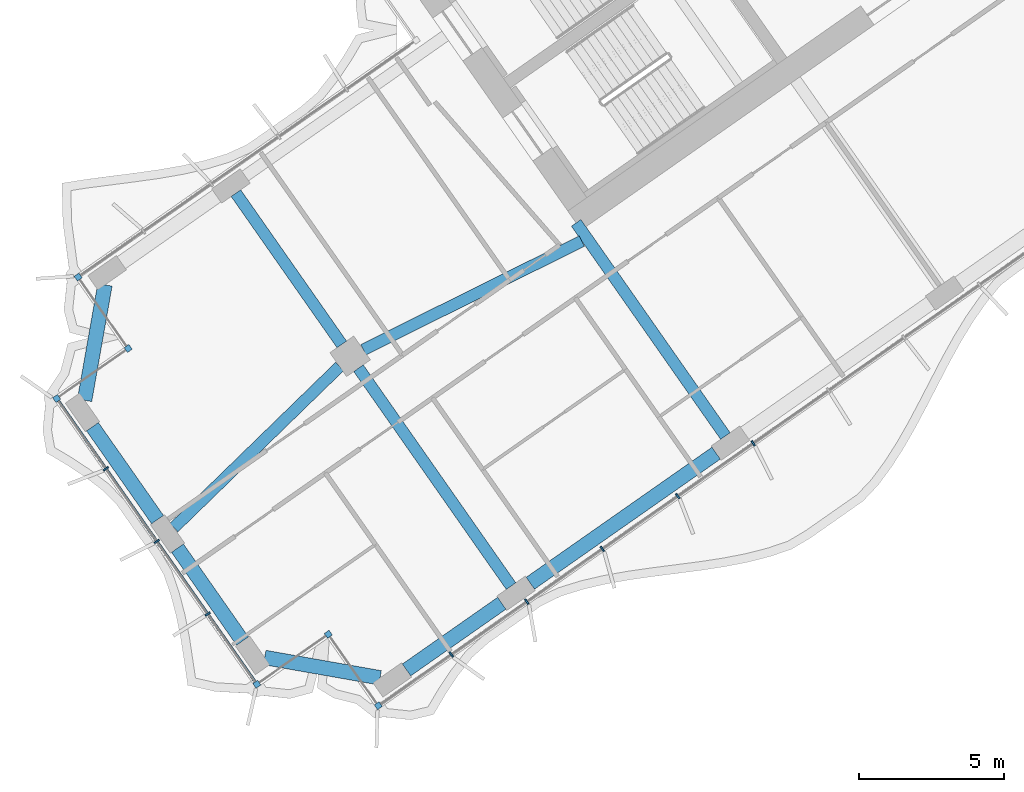
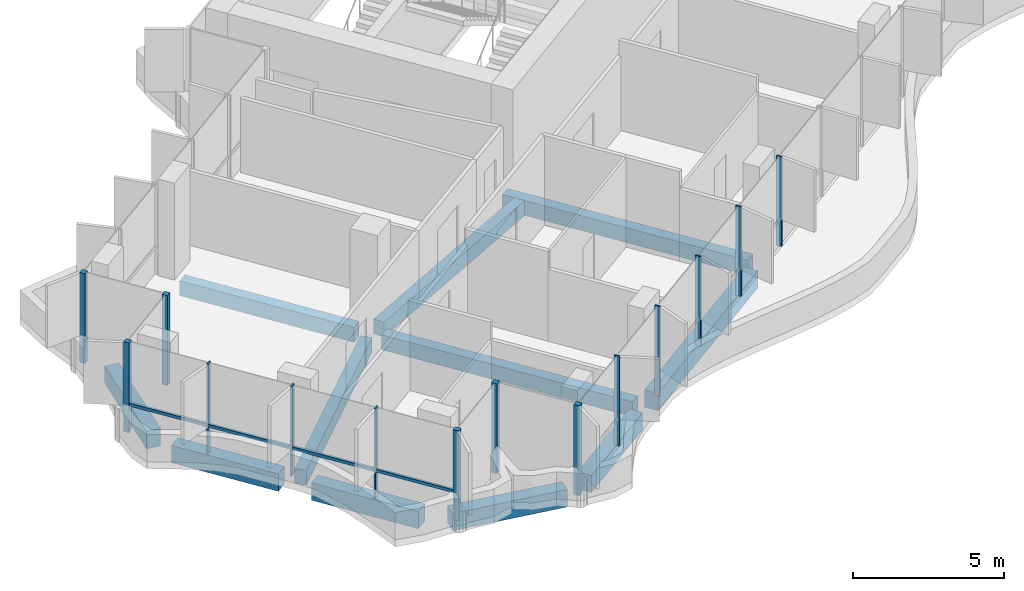
# One storey, part 2 of 21: 15 members, 11 beams, 1 element without a shape of its own.
"""IFC4 building model written with IfcOpenShell, lengths in metres."""

from ifc_helpers import new_model, si_unit, direction, frame, origin, origin_2d, place, context, subcontext, project, spatial, rectangle, extrude, material, material_profile, profile_set, type_object, element, aggregate, save


model = new_model("IFC4")

# Units and contexts
model_context = context("Model", 3, precision=1e-05, world=origin(), true_north=direction((0.0, 1.0)))
body_context = subcontext(model_context, "Body", "Model", "MODEL_VIEW")
ifc_project = project(units=[si_unit("LENGTHUNIT", "METRE"), si_unit("AREAUNIT", "SQUARE_METRE"), si_unit("VOLUMEUNIT", "CUBIC_METRE"), si_unit("PLANEANGLEUNIT", "RADIAN"), si_unit("MASSUNIT", "GRAM", prefix="KILO")], contexts=[model_context])

# Site, building, storey
site_placement = place(None, origin())
site = spatial("IfcSite", under=ifc_project, at=site_placement, CompositionType="ELEMENT")
building_placement = place(site_placement, origin())
building = spatial("IfcBuilding", under=site, at=building_placement, Name="Tel Ilan Convention Tower", CompositionType="ELEMENT")
storey_placement = place(building_placement, frame((0.0, 0.0, 139.800048828125)))
storey = spatial("IfcBuildingStorey", under=building, at=storey_placement, Name="L31", CompositionType="ELEMENT", Elevation=139.800048828125)

# Beams
ifc_material_1 = material(Name="Concrete C40/50", Category="concrete")
ifc_material_profile_1 = material_profile(ifc_material_1, rectangle(XDim=0.39990234375, YDim=0.60009765625, at=origin_2d()), Name="RC 400x600")
ifc_profile_set_1 = profile_set([ifc_material_profile_1], Name="Concrete C40/50")
beam_type_1 = type_object("IfcBeamType", Name="Beam RC 400x600 Concrete C40/50", PredefinedType="BEAM", material=ifc_profile_set_1)
beam_1_placement = place(storey_placement, frame((-16.58203125, -23.391357421875, -0.580078125), z_axis=(-0.573584999642, 0.819146048141, 0.0), x_axis=(-0.819146048141, -0.573584999642, 0.0)))
element("IfcBeam", 1, at=beam_1_placement, inside=storey, type_object=beam_type_1, Name="L31 beam W-W-F3-core", PredefinedType="BEAM", context=body_context, shape_type="SweptSolid", body=[
    extrude(rectangle(XDim=0.39990234375, YDim=0.60009765625, at=origin_2d()), origin(), (0.0, 0.0, 1.0), 8.949951171875),
])
beam_2_placement = place(storey_placement, frame((-21.52099609375, -16.686279296875, -0.580078125), z_axis=(-0.895402365524, -0.445257907076, 0.0), x_axis=(0.445257907076, -0.895402365524, 0.0)))
element("IfcBeam", 2, at=beam_2_placement, inside=storey, type_object=beam_type_1, Name="L31 beam W-core-W-M4", PredefinedType="BEAM", context=body_context, shape_type="SweptSolid", body=[
    extrude(rectangle(XDim=0.39990234375, YDim=0.60009765625, at=origin_2d()), origin(), (0.0, 0.0, 1.0), 8.3935546875),
])
beam_3_placement = place(storey_placement, frame((-29.8525390625, -21.001708984375, -0.580078125), z_axis=(-0.716983836762, -0.697089791793, 0.0), x_axis=(0.697089791793, -0.716983836762, 0.0)))
element("IfcBeam", 3, at=beam_3_placement, inside=storey, type_object=beam_type_1, Name="L31 beam W-W-M4-end", PredefinedType="BEAM", context=body_context, shape_type="SweptSolid", body=[
    extrude(rectangle(XDim=0.39990234375, YDim=0.60009765625, at=origin_2d()), origin(), (0.0, 0.0, 1.0), 7.952392578125),
])
beam_4_placement = place(storey_placement, frame((-29.20263671875, -21.058349609375, -0.580078125), z_axis=(0.573557249804, -0.819165478519, 0.0), x_axis=(0.819165478519, 0.573557249804, 0.0)))
element("IfcBeam", 4, at=beam_4_placement, inside=storey, type_object=beam_type_1, Name="L31 beam W-W-M4-W-F4", PredefinedType="BEAM", context=body_context, shape_type="SweptSolid", body=[
    extrude(rectangle(XDim=0.39990234375, YDim=0.60009765625, at=origin_2d()), origin(), (0.0, 0.0, 1.0), 9.14990234375),
])
beam_5_placement = place(storey_placement, frame((-29.7763671875, -20.2392578125, -0.580078125), z_axis=(-0.573560394383, 0.819163276762, 0.0), x_axis=(-0.819163276762, -0.573560394383, 0.0)))
element("IfcBeam", 5, at=beam_5_placement, inside=storey, type_object=beam_type_1, Name="L31 beam W-W-M4-W-B4", PredefinedType="BEAM", context=body_context, shape_type="SweptSolid", body=[
    extrude(rectangle(XDim=0.39990234375, YDim=0.60009765625, at=origin_2d()), origin(), (0.0, 0.0, 1.0), 6.349853515625),
])
ifc_material_2 = material(Name="Concrete C40/50", Category="concrete")
ifc_material_profile_2 = material_profile(ifc_material_2, rectangle(XDim=0.5, YDim=0.699951171875, at=origin_2d()), Name="RC 500x700")
ifc_profile_set_2 = profile_set([ifc_material_profile_2], Name="Concrete C40/50")
beam_type_2 = type_object("IfcBeamType", Name="Beam RC 500x700 Concrete C40/50", PredefinedType="BEAM", material=ifc_profile_set_2)
beam_6_placement = place(storey_placement, frame((-16.901611328125, -23.981201171875, -0.630126953125), z_axis=(-0.819153977895, -0.573573674866, 0.0), x_axis=(0.573573674866, -0.819153977895, 0.0)))
element("IfcBeam", 6, at=beam_6_placement, inside=storey, type_object=beam_type_2, Name="L31 beam W-W-F3-W-F4", PredefinedType="BEAM", context=body_context, shape_type="SweptSolid", body=[
    extrude(rectangle(XDim=0.5, YDim=0.699951171875, at=origin_2d()), origin(), (0.0, 0.0, 1.0), 7.800048828125),
])
beam_7_placement = place(storey_placement, frame((-24.27392578125, -29.1435546875, -0.630126953125), z_axis=(-0.819165963305, -0.573556557423, 0.0), x_axis=(0.573556557423, -0.819165963305, 0.0)))
element("IfcBeam", 7, at=beam_7_placement, inside=storey, type_object=beam_type_2, Name="L31 beam W-W-F4-W-FC", PredefinedType="BEAM", context=body_context, shape_type="SweptSolid", body=[
    extrude(rectangle(XDim=0.5, YDim=0.699951171875, at=origin_2d()), origin(), (0.0, 0.0, 1.0), 4.0),
])
beam_8_placement = place(storey_placement, frame((-28.459716796875, -31.708251953125, -0.630126953125), z_axis=(-0.984806721117, 0.173654029734, 0.0), x_axis=(-0.173654029734, -0.984806721117, 0.0)))
element("IfcBeam", 8, at=beam_8_placement, inside=storey, type_object=beam_type_2, Name="L31 beam W-W-FC-W-E1", PredefinedType="BEAM", context=body_context, shape_type="SweptSolid", body=[
    extrude(rectangle(XDim=0.5, YDim=0.699951171875, at=origin_2d()), origin(), (0.0, 0.0, 1.0), 4.03076171875),
])
for number, where, z_axis, x_axis, name in (
    (9, (-33.19091796875, -30.443115234375, -0.630126953125), (-0.573609383536, 0.819128973434, 0.0), (-0.819128973434, -0.573609383536, 0.0), "L31 beam W-W-E1-W-E2"),
    (10, (-36.1162109375, -26.265380859375, -0.630126953125), (-0.573609383536, 0.819128973434, 0.0), (-0.819128973434, -0.573609383536, 0.0), "L31 beam W-W-E2-W-E3"),
):
    element("IfcBeam", number, at=place(storey_placement, frame(where, z_axis=z_axis, x_axis=x_axis)), inside=storey, type_object=beam_type_2, Name=name, PredefinedType="BEAM", context=body_context, shape_type="SweptSolid", body=[
        extrude(rectangle(XDim=0.5, YDim=0.699951171875, at=origin_2d()), origin(), (0.0, 0.0, 1.0), 3.89990234375),
    ])
beam_9_placement = place(storey_placement, frame((-38.623779296875, -22.16162109375, -0.630126953125), z_axis=(0.173654029734, 0.984806721117, 0.0), x_axis=(-0.984806721117, 0.173654029734, 0.0)))
element("IfcBeam", 11, at=beam_9_placement, inside=storey, type_object=beam_type_2, Name="L31 beam W-W-E3-W-BC", PredefinedType="BEAM", context=body_context, shape_type="SweptSolid", body=[
    extrude(rectangle(XDim=0.5, YDim=0.699951171875, at=origin_2d()), origin(), (0.0, 0.0, 1.0), 4.03076171875),
])

# Curtain wall, members
ifc_material_3 = material(Name="Aluminium, bronze anodised", Category="aluminium")
curtain_wall_type = type_object("IfcCurtainWallType", Name="CW4 STICK CURTAIN WALL, OFFICE TINTED GLASS", PredefinedType="NOTDEFINED", material=ifc_material_3)
curtain_wall_placement = place(storey_placement, origin())
curtain_wall = element("IfcCurtainWall", 12, at=curtain_wall_placement, inside=storey, type_object=curtain_wall_type, Name="Curtain wall CW4-25.02", PredefinedType="NOTDEFINED")
ifc_material_4 = material(Name="Aluminium, bronze anodised", Category="aluminium")
ifc_material_profile_3 = material_profile(ifc_material_4, rectangle(XDim=0.199951171875, YDim=0.199951171875, at=origin_2d()), Name="CW CORNER MULLION 200x200")
ifc_profile_set_3 = profile_set([ifc_material_profile_3], Name="Aluminium, bronze anodised")
member_type_1 = type_object("IfcMemberType", Name="CW CORNER MULLION 200x200", PredefinedType="MULLION", material=ifc_profile_set_3)
member_1_placement = place(storey_placement, frame((-38.845458984375, -17.922119140625, 0.0), z_axis=(0.0, 0.0, 1.0), x_axis=(-0.819152044289, -0.573576436351, 0.0)))
member_1 = element("IfcMember", 13, at=member_1_placement, type_object=member_type_1, Name="Corner mullion", PredefinedType="MULLION", context=body_context, shape_type="SweptSolid", body=[
    extrude(rectangle(XDim=0.199951171875, YDim=0.199951171875, at=origin_2d()), origin(), (0.0, 0.0, 1.0), 3.619873046875),
])
member_2_placement = place(storey_placement, frame((-37.124755859375, -20.37939453125, 0.0), z_axis=(0.0, 0.0, 1.0), x_axis=(0.573576436351, -0.819152044289, 0.0)))
member_2 = element("IfcMember", 14, at=member_2_placement, type_object=member_type_1, Name="Corner mullion", PredefinedType="MULLION", context=body_context, shape_type="SweptSolid", body=[
    extrude(rectangle(XDim=0.199951171875, YDim=0.199951171875, at=origin_2d()), origin(), (0.0, 0.0, 1.0), 3.619873046875),
])
member_3_placement = place(storey_placement, frame((-39.582275390625, -22.10009765625, 0.0), z_axis=(0.0, 0.0, 1.0), x_axis=(-0.819152044289, -0.573576436351, 0.0)))
member_3 = element("IfcMember", 15, at=member_3_placement, type_object=member_type_1, Name="Corner mullion", PredefinedType="MULLION", context=body_context, shape_type="SweptSolid", body=[
    extrude(rectangle(XDim=0.199951171875, YDim=0.199951171875, at=origin_2d()), origin(), (0.0, 0.0, 1.0), 3.619873046875),
])
member_4_placement = place(storey_placement, frame((-32.69921875, -31.929931640625, 0.0), z_axis=(0.0, 0.0, 1.0), x_axis=(0.573576436351, -0.819152044289, 0.0)))
member_4 = element("IfcMember", 16, at=member_4_placement, type_object=member_type_1, Name="Corner mullion", PredefinedType="MULLION", context=body_context, shape_type="SweptSolid", body=[
    extrude(rectangle(XDim=0.199951171875, YDim=0.199951171875, at=origin_2d()), origin(), (0.0, 0.0, 1.0), 3.619873046875),
])
member_5_placement = place(storey_placement, frame((-30.241943359375, -30.209228515625, 0.0), z_axis=(0.0, 0.0, 1.0), x_axis=(0.819152044289, 0.573576436351, 0.0)))
member_5 = element("IfcMember", 17, at=member_5_placement, type_object=member_type_1, Name="Corner mullion", PredefinedType="MULLION", context=body_context, shape_type="SweptSolid", body=[
    extrude(rectangle(XDim=0.199951171875, YDim=0.199951171875, at=origin_2d()), origin(), (0.0, 0.0, 1.0), 3.619873046875),
])
member_6_placement = place(storey_placement, frame((-28.52099609375, -32.666748046875, 0.0), z_axis=(0.0, 0.0, 1.0), x_axis=(0.573576436351, -0.819152044289, 0.0)))
member_6 = element("IfcMember", 18, at=member_6_placement, type_object=member_type_1, Name="Corner mullion", PredefinedType="MULLION", context=body_context, shape_type="SweptSolid", body=[
    extrude(rectangle(XDim=0.199951171875, YDim=0.199951171875, at=origin_2d()), origin(), (0.0, 0.0, 1.0), 3.619873046875),
])
ifc_material_5 = material(Name="Aluminium, bronze anodised", Category="aluminium")
ifc_material_profile_4 = material_profile(ifc_material_5, rectangle(XDim=0.06005859375, YDim=0.199951171875, at=origin_2d()), Name="CW MULLION 60x200")
ifc_profile_set_4 = profile_set([ifc_material_profile_4], Name="Aluminium, bronze anodised")
member_type_2 = type_object("IfcMemberType", Name="CW MULLION 60x200", PredefinedType="MULLION", material=ifc_profile_set_4)
member_7_placement = place(storey_placement, frame((-37.89013671875, -24.5166015625, 0.0), z_axis=(0.0, 0.0, 1.0), x_axis=(0.573576436351, -0.819152044289, 0.0)))
member_7 = element("IfcMember", 19, at=member_7_placement, type_object=member_type_2, Name="Mullion", PredefinedType="MULLION", context=body_context, shape_type="SweptSolid", body=[
    extrude(rectangle(XDim=0.06005859375, YDim=0.199951171875, at=origin_2d()), origin(), (0.0, 0.0, 1.0), 3.619873046875),
])
member_8_placement = place(storey_placement, frame((-36.140869140625, -27.01513671875, 0.0), z_axis=(0.0, 0.0, 1.0), x_axis=(0.573576436351, -0.819152044289, 0.0)))
member_8 = element("IfcMember", 20, at=member_8_placement, type_object=member_type_2, Name="Mullion", PredefinedType="MULLION", context=body_context, shape_type="SweptSolid", body=[
    extrude(rectangle(XDim=0.06005859375, YDim=0.199951171875, at=origin_2d()), origin(), (0.0, 0.0, 1.0), 3.619873046875),
])
member_9_placement = place(storey_placement, frame((-34.391357421875, -29.513427734375, 0.0), z_axis=(0.0, 0.0, 1.0), x_axis=(0.573576436351, -0.819152044289, 0.0)))
member_9 = element("IfcMember", 21, at=member_9_placement, type_object=member_type_2, Name="Mullion", PredefinedType="MULLION", context=body_context, shape_type="SweptSolid", body=[
    extrude(rectangle(XDim=0.06005859375, YDim=0.199951171875, at=origin_2d()), origin(), (0.0, 0.0, 1.0), 3.619873046875),
])
member_10_placement = place(storey_placement, frame((-26.008056640625, -30.906982421875, 0.0), z_axis=(0.0, 0.0, 1.0), x_axis=(0.819152044289, 0.573576436351, 0.0)))
member_10 = element("IfcMember", 22, at=member_10_placement, type_object=member_type_2, Name="Mullion", PredefinedType="MULLION", context=body_context, shape_type="SweptSolid", body=[
    extrude(rectangle(XDim=0.06005859375, YDim=0.199951171875, at=origin_2d()), origin(), (0.0, 0.0, 1.0), 3.619873046875),
])
member_11_placement = place(storey_placement, frame((-23.412841796875, -29.08984375, 0.0), z_axis=(0.0, 0.0, 1.0), x_axis=(0.819152044289, 0.573576436351, 0.0)))
member_11 = element("IfcMember", 23, at=member_11_placement, type_object=member_type_2, Name="Mullion", PredefinedType="MULLION", context=body_context, shape_type="SweptSolid", body=[
    extrude(rectangle(XDim=0.06005859375, YDim=0.199951171875, at=origin_2d()), origin(), (0.0, 0.0, 1.0), 3.619873046875),
])
member_12_placement = place(storey_placement, frame((-20.81787109375, -27.27294921875, 0.0), z_axis=(0.0, 0.0, 1.0), x_axis=(0.819152044289, 0.573576436351, 0.0)))
member_12 = element("IfcMember", 24, at=member_12_placement, type_object=member_type_2, Name="Mullion", PredefinedType="MULLION", context=body_context, shape_type="SweptSolid", body=[
    extrude(rectangle(XDim=0.06005859375, YDim=0.199951171875, at=origin_2d()), origin(), (0.0, 0.0, 1.0), 3.619873046875),
])
member_13_placement = place(storey_placement, frame((-18.222900390625, -25.455810546875, 0.0), z_axis=(0.0, 0.0, 1.0), x_axis=(0.819152044289, 0.573576436351, 0.0)))
member_13 = element("IfcMember", 25, at=member_13_placement, type_object=member_type_2, Name="Mullion", PredefinedType="MULLION", context=body_context, shape_type="SweptSolid", body=[
    extrude(rectangle(XDim=0.06005859375, YDim=0.199951171875, at=origin_2d()), origin(), (0.0, 0.0, 1.0), 3.619873046875),
])
member_14_placement = place(storey_placement, frame((-15.627685546875, -23.638671875, 0.0), z_axis=(0.0, 0.0, 1.0), x_axis=(0.819152044289, 0.573576436351, 0.0)))
member_14 = element("IfcMember", 26, at=member_14_placement, type_object=member_type_2, Name="Mullion", PredefinedType="MULLION", context=body_context, shape_type="SweptSolid", body=[
    extrude(rectangle(XDim=0.06005859375, YDim=0.199951171875, at=origin_2d()), origin(), (0.0, 0.0, 1.0), 3.619873046875),
])
ifc_material_6 = material(Name="Aluminium, bronze anodised", Category="aluminium")
ifc_material_profile_5 = material_profile(ifc_material_6, rectangle(XDim=0.10009765625, YDim=0.1201171875, at=origin_2d()), Name="CW TRANSOM 100x120")
ifc_profile_set_5 = profile_set([ifc_material_profile_5], Name="Aluminium, bronze anodised")
member_type_3 = type_object("IfcMemberType", Name="CW TRANSOM 100x120", PredefinedType="USERDEFINED", material=ifc_profile_set_5)
member_15_placement = place(storey_placement, frame((-39.52490234375, -22.18212890625, 1.099853515625), z_axis=(0.573581755582, -0.819148319698, 0.0), x_axis=(0.819148319698, 0.573581755582, 0.0)))
member_15 = element("IfcMember", 27, at=member_15_placement, type_object=member_type_3, Name="Transom", ObjectType="TRANSOM", PredefinedType="USERDEFINED", context=body_context, shape_type="SweptSolid", body=[
    extrude(rectangle(XDim=0.10009765625, YDim=0.1201171875, at=origin_2d()), origin(), (0.0, 0.0, 1.0), 11.800048828125),
])
aggregate(curtain_wall, [member_1, member_2, member_3, member_7, member_8, member_9, member_4, member_15, member_5, member_6, member_10, member_11, member_12, member_13, member_14])

save(model, "model.ifc")
